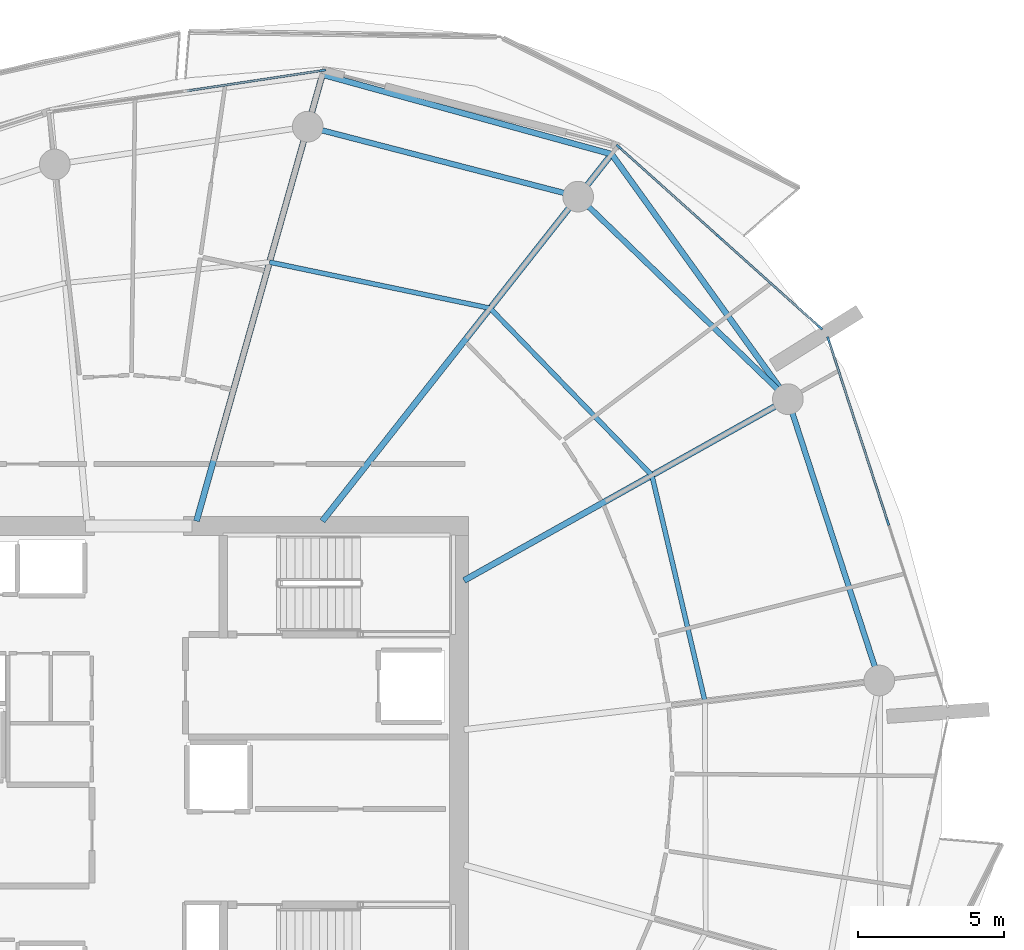
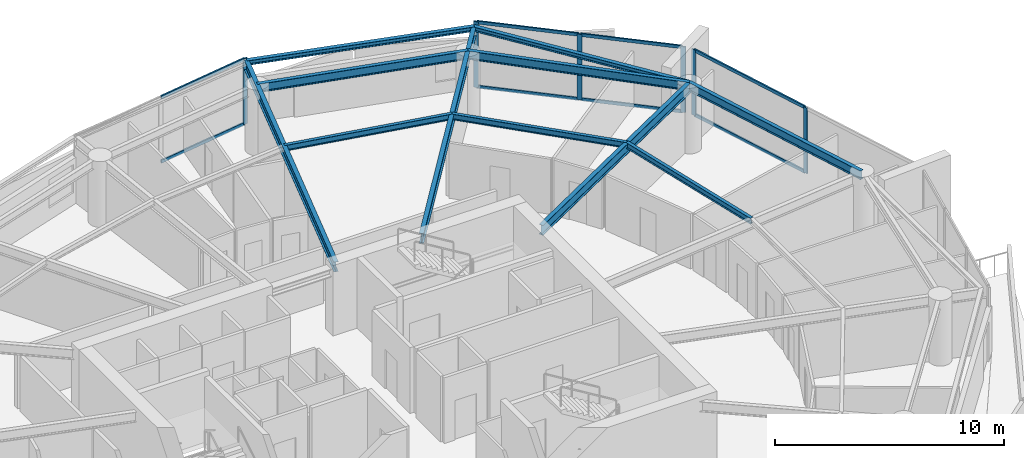
# One storey, part 9 of 20: 14 members, 11 beams, 3 elements without a shape of their own.
"""IFC4 building model written with IfcOpenShell, lengths in metres."""

from ifc_helpers import new_model, si_unit, direction, frame, origin, origin_2d, place, context, subcontext, project, spatial, rectangle, i_section, extrude, material, layer, layer_set, material_profile, profile_set, type_object, element, aggregate, save


model = new_model("IFC4")

# Units and contexts
model_context = context("Model", 3, precision=1e-05, world=origin(), true_north=direction((0.0, 1.0)))
body_context = subcontext(model_context, "Body", "Model", "MODEL_VIEW")
ifc_project = project(units=[si_unit("LENGTHUNIT", "METRE"), si_unit("AREAUNIT", "SQUARE_METRE"), si_unit("VOLUMEUNIT", "CUBIC_METRE"), si_unit("PLANEANGLEUNIT", "RADIAN"), si_unit("MASSUNIT", "GRAM", prefix="KILO")], contexts=[model_context])

# Site, building, storey
site_placement = place(None, origin())
site = spatial("IfcSite", under=ifc_project, at=site_placement, CompositionType="ELEMENT")
building_placement = place(site_placement, origin())
building = spatial("IfcBuilding", under=site, at=building_placement, Name="Kazma Halo Residences", CompositionType="ELEMENT")
storey_placement = place(building_placement, frame((0.0, 0.0, 202.800048828125)))
storey = spatial("IfcBuildingStorey", under=building, at=storey_placement, Name="L51", CompositionType="ELEMENT", Elevation=202.800048828125)

# Beams
ifc_material_1 = material(Name="Steel S355", Category="steel")
ifc_material_profile_1 = material_profile(ifc_material_1, i_section(OverallWidth=0.201904296875, OverallDepth=0.2470703125, WebThickness=0.00732421875, FlangeThickness=0.010986328125, FilletRadius=0.011962890625, at=origin_2d()), Name="W250x49.1")
ifc_profile_set_1 = profile_set([ifc_material_profile_1], Name="Steel S355")
beam_type_1 = type_object("IfcBeamType", Name="BM-BAL-CANT", PredefinedType="BEAM", material=ifc_profile_set_1)
beam_1_placement = place(storey_placement, frame((70.625, 54.670654296875, 3.37646484375), z_axis=(-0.583963922576, 0.811779611181, 0.0), x_axis=(-0.811779611181, -0.583963922576, 0.0)))
element("IfcBeam", 1, at=beam_1_placement, inside=storey, type_object=beam_type_1, Name="L51 wave-balcony lead tie beam 01", PredefinedType="BEAM", context=body_context, shape_type="SweptSolid", body=[
    extrude(i_section(OverallWidth=0.201904296875, OverallDepth=0.2470703125, WebThickness=0.00732421875, FlangeThickness=0.010986328125, FilletRadius=0.011962890625, at=origin_2d()), origin(), (0.0, 0.0, 1.0), 10.324462890625),
])
beam_2_placement = place(storey_placement, frame((64.595947265625, 63.0517578125, 3.37646484375), z_axis=(-0.964197026197, 0.265186905169, 0.0), x_axis=(-0.265186905169, -0.964197026197, 0.0)))
element("IfcBeam", 2, at=beam_2_placement, inside=storey, type_object=beam_type_1, Name="L51 wave-balcony tie beam 02", PredefinedType="BEAM", context=body_context, shape_type="SweptSolid", body=[
    extrude(i_section(OverallWidth=0.201904296875, OverallDepth=0.2470703125, WebThickness=0.00732421875, FlangeThickness=0.010986328125, FilletRadius=0.011962890625, at=origin_2d()), origin(), (0.0, 0.0, 1.0), 10.258544921875),
])
ifc_material_profile_2 = material_profile(ifc_material_1, i_section(OverallWidth=0.208984375, OverallDepth=0.532958984375, WebThickness=0.01025390625, FlangeThickness=0.015625, FilletRadius=0.01611328125, at=origin_2d()), Name="W530x92")
ifc_profile_set_2 = profile_set([ifc_material_profile_2], Name="Steel S355")
beam_type_2 = type_object("IfcBeamType", Name="BM-RAD-W530", PredefinedType="BEAM", material=ifc_profile_set_2)
beam_3_placement = place(storey_placement, frame((59.550048828125, 48.46826171875, 3.2333984375), z_axis=(0.872491912539, 0.488628552742, 0.0), x_axis=(-0.488628552742, 0.872491912539, 0.0)))
element("IfcBeam", 3, at=beam_3_placement, inside=storey, type_object=beam_type_2, Name="L51 radial floor beam 01", PredefinedType="BEAM", context=body_context, shape_type="SweptSolid", body=[
    extrude(i_section(OverallWidth=0.208984375, OverallDepth=0.532958984375, WebThickness=0.01025390625, FlangeThickness=0.015625, FilletRadius=0.01611328125, at=origin_2d()), origin(), (0.0, 0.0, 1.0), 12.693359375),
])
beam_4_placement = place(storey_placement, frame((54.700927734375, 50.5, 3.2333984375), z_axis=(0.61909439419, 0.785316580165, 0.0), x_axis=(-0.785316580165, 0.61909439419, 0.0)))
element("IfcBeam", 4, at=beam_4_placement, inside=storey, type_object=beam_type_2, Name="L51 radial floor beam 02", PredefinedType="BEAM", context=body_context, shape_type="SweptSolid", body=[
    extrude(i_section(OverallWidth=0.208984375, OverallDepth=0.532958984375, WebThickness=0.01025390625, FlangeThickness=0.015625, FilletRadius=0.01611328125, at=origin_2d()), origin(), (0.0, 0.0, 1.0), 15.983154296875),
])
beam_5_placement = place(storey_placement, frame((50.397216796875, 50.5, 3.2333984375), z_axis=(0.271449932859, 0.962452561922, 0.0), x_axis=(-0.962452561922, 0.271449932859, 0.0)))
element("IfcBeam", 5, at=beam_5_placement, inside=storey, type_object=beam_type_2, Name="L51 radial floor beam 03", PredefinedType="BEAM", context=body_context, shape_type="SweptSolid", body=[
    extrude(i_section(OverallWidth=0.208984375, OverallDepth=0.532958984375, WebThickness=0.01025390625, FlangeThickness=0.015625, FilletRadius=0.01611328125, at=origin_2d()), origin(), (0.0, 0.0, 1.0), 15.867919921875),
])
ifc_material_profile_3 = material_profile(ifc_material_1, i_section(OverallWidth=0.1650390625, OverallDepth=0.31005859375, WebThickness=0.005859375, FlangeThickness=0.009765625, FilletRadius=0.011962890625, at=origin_2d()), Name="W310x38.7")
ifc_profile_set_3 = profile_set([ifc_material_profile_3], Name="Steel S355")
beam_type_3 = type_object("IfcBeamType", Name="BM-SEC-W310B", PredefinedType="JOIST", material=ifc_profile_set_3)
beam_6_placement = place(storey_placement, frame((65.9736328125, 52.065673828125, 3.344970703125), z_axis=(-0.695659633946, 0.718371542934, 0.0), x_axis=(-0.718371542934, -0.695659633946, 0.0)))
element("IfcBeam", 6, at=beam_6_placement, inside=storey, type_object=beam_type_3, Name="L51 circumferential floor joist 01", PredefinedType="JOIST", context=body_context, shape_type="SweptSolid", body=[
    extrude(i_section(OverallWidth=0.1650390625, OverallDepth=0.31005859375, WebThickness=0.005859375, FlangeThickness=0.009765625, FilletRadius=0.011962890625, at=origin_2d()), origin(), (0.0, 0.0, 1.0), 7.95458984375),
])
beam_7_placement = place(storey_placement, frame((60.43994140625, 57.780029296875, 3.344970703125), z_axis=(-0.978821484976, 0.204715657802, 0.0), x_axis=(-0.204715657802, -0.978821484976, 0.0)))
element("IfcBeam", 7, at=beam_7_placement, inside=storey, type_object=beam_type_3, Name="L51 circumferential floor joist 02", PredefinedType="JOIST", context=body_context, shape_type="SweptSolid", body=[
    extrude(i_section(OverallWidth=0.1650390625, OverallDepth=0.31005859375, WebThickness=0.005859375, FlangeThickness=0.009765625, FilletRadius=0.011962890625, at=origin_2d()), origin(), (0.0, 0.0, 1.0), 7.707763671875),
])
beam_8_placement = place(storey_placement, frame((67.787109375, 44.341796875, 3.344970703125), z_axis=(-0.228572787048, 0.973526826041, 0.0), x_axis=(-0.973526826041, -0.228572787048, 0.0)))
element("IfcBeam", 8, at=beam_8_placement, inside=storey, type_object=beam_type_3, Name="L51 circumferential floor joist 16", PredefinedType="JOIST", context=body_context, shape_type="SweptSolid", body=[
    extrude(i_section(OverallWidth=0.1650390625, OverallDepth=0.31005859375, WebThickness=0.005859375, FlangeThickness=0.009765625, FilletRadius=0.011962890625, at=origin_2d()), origin(), (0.0, 0.0, 1.0), 7.933837890625),
])
ifc_material_profile_4 = material_profile(ifc_material_1, i_section(OverallWidth=0.18994140625, OverallDepth=0.45703125, WebThickness=0.009033203125, FlangeThickness=0.014404296875, FilletRadius=0.01611328125, at=origin_2d()), Name="W460x74")
ifc_profile_set_4 = profile_set([ifc_material_profile_4], Name="Steel S355")
beam_type_4 = type_object("IfcBeamType", Name="BM-SPN-W460", PredefinedType="BEAM", material=ifc_profile_set_4)
beam_9_placement = place(storey_placement, frame((70.625, 54.670654296875, 3.271484375), z_axis=(-0.71933650181, 0.694661786169, 0.0), x_axis=(-0.694661786169, -0.71933650181, 0.0)))
element("IfcBeam", 9, at=beam_9_placement, inside=storey, type_object=beam_type_4, Name="L51 perimeter ring beam 01", PredefinedType="BEAM", context=body_context, shape_type="SweptSolid", body=[
    extrude(i_section(OverallWidth=0.18994140625, OverallDepth=0.45703125, WebThickness=0.009033203125, FlangeThickness=0.014404296875, FilletRadius=0.01611328125, at=origin_2d()), origin(), (0.0, 0.0, 1.0), 9.9736328125),
])
beam_10_placement = place(storey_placement, frame((63.45068359375, 61.598876953125, 3.271484375), z_axis=(-0.968120950739, 0.25048318255, 0.0), x_axis=(-0.25048318255, -0.968120950739, 0.0)))
element("IfcBeam", 10, at=beam_10_placement, inside=storey, type_object=beam_type_4, Name="L51 perimeter ring beam 02", PredefinedType="BEAM", context=body_context, shape_type="SweptSolid", body=[
    extrude(i_section(OverallWidth=0.18994140625, OverallDepth=0.45703125, WebThickness=0.009033203125, FlangeThickness=0.014404296875, FilletRadius=0.01611328125, at=origin_2d()), origin(), (0.0, 0.0, 1.0), 9.552734375),
])
beam_11_placement = place(storey_placement, frame((73.751708984375, 45.0478515625, 3.271484375), z_axis=(-0.309023327426, 0.951054458539, 0.0), x_axis=(-0.951054458539, -0.309023327426, 0.0)))
element("IfcBeam", 11, at=beam_11_placement, inside=storey, type_object=beam_type_4, Name="L51 perimeter ring beam 16", PredefinedType="BEAM", context=body_context, shape_type="SweptSolid", body=[
    extrude(i_section(OverallWidth=0.18994140625, OverallDepth=0.45703125, WebThickness=0.009033203125, FlangeThickness=0.014404296875, FilletRadius=0.01611328125, at=origin_2d()), origin(), (0.0, 0.0, 1.0), 10.117919921875),
])

# Curtain wall, members
ifc_material_2 = material(Name="Aluminium AW-6063 T6 and Triple-Silver Low-E Glass", Category="aluminium")
ifc_layer = layer(ifc_material_2, 0.219970703125)
ifc_layer_set = layer_set([ifc_layer], Name="Aluminium AW-6063 T6 and Triple-Silver Low-E Glass")
curtain_wall_type = type_object("IfcCurtainWallType", Name="CW-SYS-4", PredefinedType="NOTDEFINED", material=ifc_layer_set)
curtain_wall_1_placement = place(storey_placement, origin())
curtain_wall_1 = element("IfcCurtainWall", 12, at=curtain_wall_1_placement, inside=storey, type_object=curtain_wall_type, Name="L51 unitised curtain wall B01", PredefinedType="NOTDEFINED")
ifc_material_3 = material(Name="Aluminium AW-6063 T6", Category="aluminium")
ifc_material_profile_5 = material_profile(ifc_material_3, rectangle(XDim=0.074951171875, YDim=0.219970703125, at=origin_2d()), Name="CWM-75x220")
ifc_profile_set_5 = profile_set([ifc_material_profile_5], Name="Aluminium AW-6063 T6")
member_type_1 = type_object("IfcMemberType", Name="CW-SYS-4-MUL", PredefinedType="MULLION", material=ifc_profile_set_5)
member_1_placement = place(storey_placement, frame((71.7216796875, 57.126220703125, 0.0), z_axis=(0.0, 0.0, 1.0), x_axis=(-0.667784328806, -0.744354814723, 0.0)))
member_1 = element("IfcMember", 13, at=member_1_placement, type_object=member_type_1, Name="CWS-4 mullion 1", PredefinedType="MULLION", context=body_context, shape_type="SweptSolid", body=[
    extrude(rectangle(XDim=0.074951171875, YDim=0.219970703125, at=origin_2d()), origin(), (0.0, 0.0, 1.0), 3.5),
])
member_2_placement = place(storey_placement, frame((68.280517578125, 60.213134765625, 0.0), z_axis=(0.0, 0.0, 1.0), x_axis=(-0.667784328806, -0.744354814723, 0.0)))
member_2 = element("IfcMember", 14, at=member_2_placement, type_object=member_type_1, Name="CWS-4 mullion 2", PredefinedType="MULLION", context=body_context, shape_type="SweptSolid", body=[
    extrude(rectangle(XDim=0.074951171875, YDim=0.219970703125, at=origin_2d()), origin(), (0.0, 0.0, 1.0), 3.5),
])
member_3_placement = place(storey_placement, frame((64.839599609375, 63.30029296875, 0.0), z_axis=(0.0, 0.0, 1.0), x_axis=(-0.667784328806, -0.744354814723, 0.0)))
member_3 = element("IfcMember", 15, at=member_3_placement, type_object=member_type_1, Name="CWS-4 mullion 3", PredefinedType="MULLION", context=body_context, shape_type="SweptSolid", body=[
    extrude(rectangle(XDim=0.074951171875, YDim=0.219970703125, at=origin_2d()), origin(), (0.0, 0.0, 1.0), 3.5),
])

# Curtain wall, member
curtain_wall_2_placement = place(storey_placement, origin())
curtain_wall_2 = element("IfcCurtainWall", 16, at=curtain_wall_2_placement, inside=storey, type_object=curtain_wall_type, Name="L51 unitised curtain wall B03", PredefinedType="NOTDEFINED")
member_4_placement = place(storey_placement, frame((54.708740234375, 65.913330078125, 0.0), z_axis=(0.0, 0.0, 1.0), x_axis=(0.148772639188, -0.988871428361, 0.0)))
member_4 = element("IfcMember", 17, at=member_4_placement, type_object=member_type_1, Name="CWS-4 mullion 1", PredefinedType="MULLION", context=body_context, shape_type="SweptSolid", body=[
    extrude(rectangle(XDim=0.074951171875, YDim=0.219970703125, at=origin_2d()), origin(), (0.0, 0.0, 1.0), 3.5),
])

# Curtain wall, members
curtain_wall_3_placement = place(storey_placement, origin())
curtain_wall_3 = element("IfcCurtainWall", 18, at=curtain_wall_3_placement, inside=storey, type_object=curtain_wall_type, Name="L51 unitised curtain wall B16", PredefinedType="NOTDEFINED")
member_5_placement = place(storey_placement, frame((74.04345703125, 50.4619140625, 0.0), z_axis=(0.0, 0.0, 1.0), x_axis=(-0.951056893636, -0.309015833038, 0.0)))
member_5 = element("IfcMember", 19, at=member_5_placement, type_object=member_type_1, Name="CWS-4 mullion 2", PredefinedType="MULLION", context=body_context, shape_type="SweptSolid", body=[
    extrude(rectangle(XDim=0.074951171875, YDim=0.219970703125, at=origin_2d()), origin(), (0.0, 0.0, 1.0), 3.5),
])
member_6_placement = place(storey_placement, frame((72.015625, 56.702880859375, 0.0), z_axis=(0.0, 0.0, 1.0), x_axis=(-0.951056893636, -0.309015833038, 0.0)))
member_6 = element("IfcMember", 20, at=member_6_placement, type_object=member_type_1, Name="CWS-4 mullion 3", PredefinedType="MULLION", context=body_context, shape_type="SweptSolid", body=[
    extrude(rectangle(XDim=0.074951171875, YDim=0.219970703125, at=origin_2d()), origin(), (0.0, 0.0, 1.0), 3.5),
])

# Member
ifc_material_profile_6 = material_profile(ifc_material_3, rectangle(XDim=0.074951171875, YDim=0.1650390625, at=origin_2d()), Name="CWT-75x165")
ifc_profile_set_6 = profile_set([ifc_material_profile_6], Name="Aluminium AW-6063 T6")
member_type_2 = type_object("IfcMemberType", Name="CW-SYS-4-TRN", PredefinedType="USERDEFINED", material=ifc_profile_set_6)
member_7_placement = place(storey_placement, frame((71.69384765625, 57.151123046875, 0.037353515625), z_axis=(-0.744344906673, 0.667795372783, 0.0), x_axis=(-0.667795372783, -0.744344906673, 0.0)))
member_7 = element("IfcMember", 21, at=member_7_placement, type_object=member_type_2, Name="CWS-4 transom 1.1", ObjectType="TRANSOM", PredefinedType="USERDEFINED", context=body_context, shape_type="SweptSolid", body=[
    extrude(rectangle(XDim=0.074951171875, YDim=0.1650390625, at=origin_2d()), origin(), (0.0, 0.0, 1.0), 4.5478515625),
])

member_8_placement = place(storey_placement, frame((71.69384765625, 57.151123046875, 3.46240234375), z_axis=(-0.744344906673, 0.667795372783, 0.0), x_axis=(-0.667795372783, -0.744344906673, 0.0)))
member_8 = element("IfcMember", 22, at=member_8_placement, type_object=member_type_2, Name="CWS-4 transom 1.2", ObjectType="TRANSOM", PredefinedType="USERDEFINED", context=body_context, shape_type="SweptSolid", body=[
    extrude(rectangle(XDim=0.074951171875, YDim=0.1650390625, at=origin_2d()), origin(), (0.0, 0.0, 1.0), 4.5478515625),
])

member_9_placement = place(storey_placement, frame((68.252685546875, 60.23828125, 0.037353515625), z_axis=(-0.744344906673, 0.667795372783, 0.0), x_axis=(-0.667795372783, -0.744344906673, 0.0)))
member_9 = element("IfcMember", 23, at=member_9_placement, type_object=member_type_2, Name="CWS-4 transom 2.1", ObjectType="TRANSOM", PredefinedType="USERDEFINED", context=body_context, shape_type="SweptSolid", body=[
    extrude(rectangle(XDim=0.074951171875, YDim=0.1650390625, at=origin_2d()), origin(), (0.0, 0.0, 1.0), 4.5478515625),
])

member_10_placement = place(storey_placement, frame((68.252685546875, 60.23828125, 3.46240234375), z_axis=(-0.744344906673, 0.667795372783, 0.0), x_axis=(-0.667795372783, -0.744344906673, 0.0)))
member_10 = element("IfcMember", 24, at=member_10_placement, type_object=member_type_2, Name="CWS-4 transom 2.2", ObjectType="TRANSOM", PredefinedType="USERDEFINED", context=body_context, shape_type="SweptSolid", body=[
    extrude(rectangle(XDim=0.074951171875, YDim=0.1650390625, at=origin_2d()), origin(), (0.0, 0.0, 1.0), 4.5478515625),
])

aggregate(curtain_wall_1, [member_1, member_2, member_3, member_7, member_8, member_9, member_10])

member_11_placement = place(storey_placement, frame((54.671630859375, 65.907958984375, 0.037353515625), z_axis=(-0.988867623216, -0.148797929272, 0.0), x_axis=(0.148797929272, -0.988867623216, 0.0)))
member_11 = element("IfcMember", 25, at=member_11_placement, type_object=member_type_2, Name="CWS-4 transom 1.1", ObjectType="TRANSOM", PredefinedType="USERDEFINED", context=body_context, shape_type="SweptSolid", body=[
    extrude(rectangle(XDim=0.074951171875, YDim=0.1650390625, at=origin_2d()), origin(), (0.0, 0.0, 1.0), 4.64501953125),
])

member_12_placement = place(storey_placement, frame((54.671630859375, 65.907958984375, 3.46240234375), z_axis=(-0.988867623216, -0.148797929272, 0.0), x_axis=(0.148797929272, -0.988867623216, 0.0)))
member_12 = element("IfcMember", 26, at=member_12_placement, type_object=member_type_2, Name="CWS-4 transom 1.2", ObjectType="TRANSOM", PredefinedType="USERDEFINED", context=body_context, shape_type="SweptSolid", body=[
    extrude(rectangle(XDim=0.074951171875, YDim=0.1650390625, at=origin_2d()), origin(), (0.0, 0.0, 1.0), 4.64501953125),
])

aggregate(curtain_wall_2, [member_4, member_11, member_12])

member_13_placement = place(storey_placement, frame((74.031982421875, 50.49755859375, 0.037353515625), z_axis=(-0.309015440644, 0.951057021132, 0.0), x_axis=(-0.951057021132, -0.309015440644, 0.0)))
member_13 = element("IfcMember", 27, at=member_13_placement, type_object=member_type_2, Name="CWS-4 transom 2.1", ObjectType="TRANSOM", PredefinedType="USERDEFINED", context=body_context, shape_type="SweptSolid", body=[
    extrude(rectangle(XDim=0.074951171875, YDim=0.1650390625, at=origin_2d()), origin(), (0.0, 0.0, 1.0), 6.487060546875),
])

member_14_placement = place(storey_placement, frame((74.031982421875, 50.49755859375, 3.46240234375), z_axis=(-0.309015440644, 0.951057021132, 0.0), x_axis=(-0.951057021132, -0.309015440644, 0.0)))
member_14 = element("IfcMember", 28, at=member_14_placement, type_object=member_type_2, Name="CWS-4 transom 2.2", ObjectType="TRANSOM", PredefinedType="USERDEFINED", context=body_context, shape_type="SweptSolid", body=[
    extrude(rectangle(XDim=0.074951171875, YDim=0.1650390625, at=origin_2d()), origin(), (0.0, 0.0, 1.0), 6.487060546875),
])

aggregate(curtain_wall_3, [member_5, member_6, member_13, member_14])

save(model, "model.ifc")
